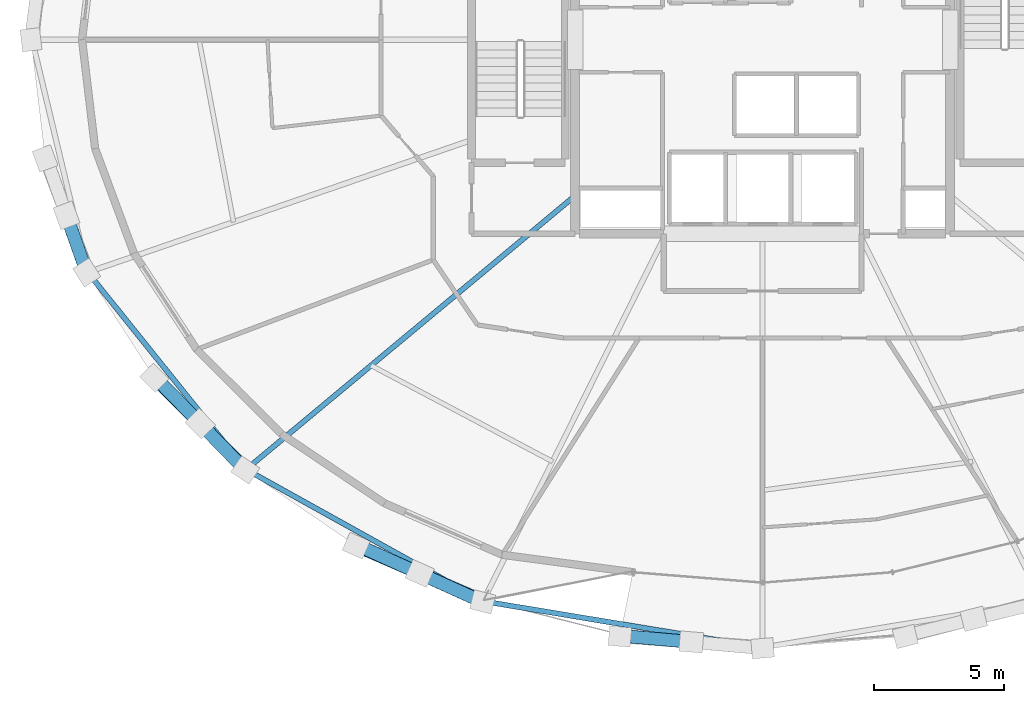
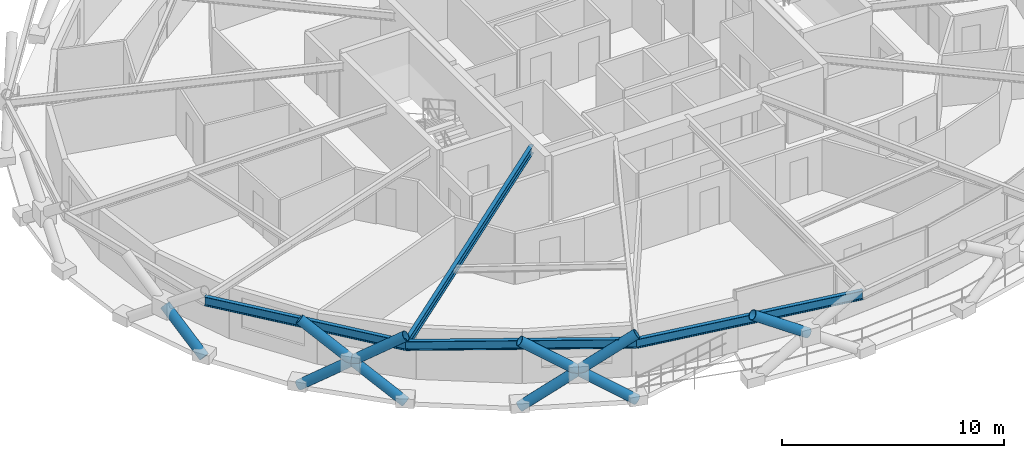
# One storey, part 1 of 19: 8 members, 4 beams.
"""IFC4 building model written with IfcOpenShell, lengths in metres."""

import ifcopenshell
import ifcopenshell.guid

model = None  # the IFC model being written
_history = None  # IfcOwnerHistory: only IFC2X3 demands one
_inside = {}  # id of a spatial element -> (the spatial element, [elements in it])
_under = {}  # id of a project, library or spatial element -> (it, [spatial elements below it])
_declared = {}  # id of a project -> (the project, [libraries it declares])
_typed = {}  # id of a type object -> (the type object, [elements of that type])
_made_of = {}  # id of a material, layer set ... -> (it, [elements and type objects made of it])


def new_model(schema):
    """Start an empty IFC model of exactly this schema.

    Asked for "IFC4X3", IfcOpenShell would pick the latest addendum, in which some entities
    have other attributes; the version numbers below select the first issue.
    IFC2X3 requires an IfcOwnerHistory on every rooted entity: one is made here for all.
    """
    global model, _history
    if schema == "IFC4X3":
        model = ifcopenshell.file(schema_version=(4, 3, 0, 0))
    else:
        model = ifcopenshell.file(schema=schema)
    _inside.clear()
    _under.clear()
    _declared.clear()
    _typed.clear()
    _made_of.clear()
    _history = None
    if model.schema == "IFC2X3":
        org = make("IfcOrganization", Name="unknown")
        user = make(
            "IfcPersonAndOrganization",
            ThePerson=make("IfcPerson", FamilyName="unknown"),
            TheOrganization=org,
        )
        app = make(
            "IfcApplication",
            ApplicationDeveloper=org,
            Version="unknown",
            ApplicationFullName="unknown",
            ApplicationIdentifier="unknown",
        )
        _history = make(
            "IfcOwnerHistory",
            OwningUser=user,
            OwningApplication=app,
            ChangeAction="ADDED",
            CreationDate=0,
        )
    return model


def make(cls, **values):
    """One entity of the class cls with the attributes given. An attribute that is None is left unset."""
    return model.create_entity(
        cls, **{name: value for name, value in values.items() if value is not None}
    )


def rooted(cls, **values):
    """An entity with a GlobalId (a new one), such as an element, a storey or a relation."""
    return make(cls, GlobalId=ifcopenshell.guid.new(), OwnerHistory=_history, **values)


def si_unit(unit_type, name, prefix=None):
    """IfcSIUnit, for example si_unit("LENGTHUNIT", "METRE", prefix="MILLI")."""
    return make("IfcSIUnit", UnitType=unit_type, Prefix=prefix, Name=name)


def assignment(units):
    """IfcUnitAssignment: the units of a project."""
    return None if units is None else make("IfcUnitAssignment", Units=units)


def point(xyz):
    """IfcCartesianPoint."""
    return None if xyz is None else make("IfcCartesianPoint", Coordinates=xyz)


def direction(xyz):
    """IfcDirection."""
    return None if xyz is None else make("IfcDirection", DirectionRatios=xyz)


def frame(location, z_axis=None, x_axis=None):
    """IfcAxis2Placement3D, a coordinate frame: its origin and axes. An axis left out is left unset."""
    return make(
        "IfcAxis2Placement3D",
        Location=point(location),
        Axis=direction(z_axis),
        RefDirection=direction(x_axis),
    )


def frame_2d(location, x_axis=None):
    """IfcAxis2Placement2D, a coordinate frame in the plane: its origin and x axis."""
    return make(
        "IfcAxis2Placement2D", Location=point(location), RefDirection=direction(x_axis)
    )


def origin():
    """The frame at (0, 0, 0) with its axes left unset."""
    return frame((0.0, 0.0, 0.0))


def origin_2d():
    """The frame at (0, 0) in the plane with its x axis left unset."""
    return frame_2d((0.0, 0.0))


def place(relative_to, where):
    """IfcLocalPlacement: puts the frame where relative to a parent placement (None: the world)."""
    return make(
        "IfcLocalPlacement", PlacementRelTo=relative_to, RelativePlacement=where
    )


def context(
    kind, dimensions, precision=None, world=None, true_north=None, identifier=None
):
    """IfcGeometricRepresentationContext, for example the 3D "Model" context."""
    return make(
        "IfcGeometricRepresentationContext",
        ContextIdentifier=identifier,
        ContextType=kind,
        CoordinateSpaceDimension=dimensions,
        Precision=precision,
        WorldCoordinateSystem=world,
        TrueNorth=true_north,
    )


def subcontext(parent, identifier, kind, view, scale=None):
    """IfcGeometricRepresentationSubContext, for example "Body" below "Model"."""
    return make(
        "IfcGeometricRepresentationSubContext",
        ContextIdentifier=identifier,
        ContextType=kind,
        ParentContext=parent,
        TargetScale=scale,
        TargetView=view,
    )


def project(units=None, contexts=None):
    """IfcProject with its units and contexts."""
    return rooted(
        "IfcProject",
        Name="project",
        RepresentationContexts=contexts,
        UnitsInContext=assignment(units),
    )


def spatial(cls, under=None, at=None, **own):
    """A site, building, storey or space (cls), placed at a placement, below another one or the project."""
    s = rooted(cls, ObjectPlacement=at, **own)
    if under is not None:
        _under.setdefault(under.id(), (under, []))[1].append(s)
    return s


def profile(cls, at=None, kind="AREA", **sizes):
    """A parametric profile (cls). Its sizes go by their IFC names, for example OverallWidth=200.0."""
    return make(cls, ProfileType=kind, Position=at, **sizes)


def hollow_circle(**sizes):
    """IfcCircleHollowProfileDef."""
    return profile("IfcCircleHollowProfileDef", **sizes)


def i_section(**sizes):
    """IfcIShapeProfileDef."""
    return profile("IfcIShapeProfileDef", **sizes)


def extrude(swept, where, along, depth):
    """IfcExtrudedAreaSolid: the profile swept, set in the frame where, extruded along a direction by depth."""
    return make(
        "IfcExtrudedAreaSolid",
        SweptArea=swept,
        Position=where,
        ExtrudedDirection=direction(along),
        Depth=depth,
    )


def shape(context_of_items, identifier, shape_type, items):
    """IfcShapeRepresentation: the items that make up one representation, for example the "Body"."""
    return make(
        "IfcShapeRepresentation",
        ContextOfItems=context_of_items,
        RepresentationIdentifier=identifier,
        RepresentationType=shape_type,
        Items=items,
    )


def material(Name=None, Category=None):
    """IfcMaterial."""
    return make("IfcMaterial", Name=Name, Category=Category)


def material_profile(
    of_material, cross_section, Name=None, Category=None, Priority=None
):
    """IfcMaterialProfile: a cross section and its material."""
    return make(
        "IfcMaterialProfile",
        Name=Name,
        Material=of_material,
        Profile=cross_section,
        Priority=Priority,
        Category=Category,
    )


def profile_set(profiles, Name=None, composite=None):
    """IfcMaterialProfileSet."""
    return make(
        "IfcMaterialProfileSet",
        Name=Name,
        MaterialProfiles=profiles,
        CompositeProfile=composite,
    )


def made_of(thing, what):
    """Note that an element or type object is made of a material, layer set ...; save() writes the relation."""
    if what is not None:
        _made_of.setdefault(what.id(), (what, []))[1].append(thing)
    return thing


def type_object(cls, material=None, **own):
    """A type object (cls), such as IfcWallType, which elements share."""
    return made_of(rooted(cls, **own), material)


def element(
    cls,
    number,
    at=None,
    inside=None,
    cuts=None,
    type_object=None,
    material=None,
    context=None,
    identifier="Body",
    shape_type=None,
    held_by="IfcProductDefinitionShape",
    body=None,
    shapes=None,
    **own,
):
    """One element of the class cls, such as IfcWall. Its Tag is "e" and its number.

    at: its placement. inside: the storey or other place that contains it. cuts: it is an
    opening in that element (IfcRelVoidsElement). A single representation is given by context,
    identifier, shape_type and body (its items); several are given by shapes. held_by: the class
    of the entity that holds the representations. save() writes the other relations.
    """
    e = rooted(cls, Tag="e%d" % number, ObjectPlacement=at, **own)
    if body is not None:
        shapes = [shape(context, identifier, shape_type, body)]
    if shapes is not None:
        e.Representation = make(held_by, Representations=shapes)
    if inside is not None:
        _inside.setdefault(inside.id(), (inside, []))[1].append(e)
    if cuts is not None:
        rooted(
            "IfcRelVoidsElement", RelatingBuildingElement=cuts, RelatedOpeningElement=e
        )
    if type_object is not None:
        _typed.setdefault(type_object.id(), (type_object, []))[1].append(e)
    return made_of(e, material)


def aggregate(whole, parts):
    """IfcRelAggregates: a whole, such as a stair, and the parts it consists of."""
    return rooted("IfcRelAggregates", RelatingObject=whole, RelatedObjects=parts)


def save(model, path):
    """Write the relations noted so far, then the file.

    IfcRelAggregates (storeys below a building ...), IfcRelContainedInSpatialStructure (elements
    in a storey), IfcRelDefinesByType, IfcRelAssociatesMaterial and IfcRelDeclares: one each for
    every whole, place, type object, material and project.
    """
    for whole, parts in _under.values():
        aggregate(whole, parts)
    for where, things in _inside.values():
        rooted(
            "IfcRelContainedInSpatialStructure",
            RelatedElements=things,
            RelatingStructure=where,
        )
    for kind, things in _typed.values():
        rooted("IfcRelDefinesByType", RelatedObjects=things, RelatingType=kind)
    for what, things in _made_of.values():
        rooted("IfcRelAssociatesMaterial", RelatedObjects=things, RelatingMaterial=what)
    for by, libraries in _declared.values():
        rooted("IfcRelDeclares", RelatingContext=by, RelatedDefinitions=libraries)
    model.write(path)


model = new_model("IFC4")

# Units and contexts
model_context = context("Model", 3, precision=1e-05, world=origin(), true_north=direction((0.0, 1.0)))
body_context = subcontext(model_context, "Body", "Model", "MODEL_VIEW")
ifc_project = project(units=[si_unit("LENGTHUNIT", "METRE"), si_unit("AREAUNIT", "SQUARE_METRE"), si_unit("VOLUMEUNIT", "CUBIC_METRE"), si_unit("PLANEANGLEUNIT", "RADIAN"), si_unit("MASSUNIT", "GRAM", prefix="KILO")], contexts=[model_context])

# Site, building, storey
site_placement = place(None, origin())
site = spatial("IfcSite", under=ifc_project, at=site_placement, CompositionType="ELEMENT")
building_placement = place(site_placement, origin())
building = spatial("IfcBuilding", under=site, at=building_placement, Name="Veldorina Hangang Commons", CompositionType="ELEMENT")
storey_placement = place(building_placement, frame((0.0, 0.0, 167.60009765625)))
storey = spatial("IfcBuildingStorey", under=building, at=storey_placement, Name="L43", CompositionType="ELEMENT", Elevation=167.60009765625)

# Beams
ifc_material_1 = material(Name="Steel SM355-TMC", Category="steel")
ifc_material_profile_1 = material_profile(ifc_material_1, i_section(OverallWidth=0.199951171875, OverallDepth=0.449951171875, WebThickness=0.009033203125, FlangeThickness=0.013916015625, FilletRadius=0.01611328125, at=origin_2d()), Name="H-450x200x9x14")
ifc_profile_set_1 = profile_set([ifc_material_profile_1], Name="Steel SM355-TMC")
beam_type_1 = type_object("IfcBeamType", Name="BM-FG450", PredefinedType="BEAM", material=ifc_profile_set_1)
beam_1_placement = place(storey_placement, frame((24.800048828125, 18.010498046875, 3.125), z_axis=(-0.768760288374, -0.639537034908, 0.0), x_axis=(0.639537034908, -0.768760288374, 0.0)))
element("IfcBeam", 1, at=beam_1_placement, inside=storey, type_object=beam_type_1, Name="L43 radial floor girder 11", PredefinedType="BEAM", context=body_context, shape_type="SweptSolid", body=[
    extrude(i_section(OverallWidth=0.199951171875, OverallDepth=0.449951171875, WebThickness=0.009033203125, FlangeThickness=0.013916015625, FilletRadius=0.01611328125, at=origin_2d()), origin(), (0.0, 0.0, 1.0), 16.438720703125),
])
ifc_material_2 = material(Name="Steel SM420-TMC", Category="steel")
ifc_material_profile_2 = material_profile(ifc_material_2, i_section(OverallWidth=0.199951171875, OverallDepth=0.5, WebThickness=0.010009765625, FlangeThickness=0.01611328125, FilletRadius=0.01611328125, at=origin_2d()), Name="H-500x200x10x16")
ifc_profile_set_2 = profile_set([ifc_material_profile_2], Name="Steel SM420-TMC")
beam_type_2 = type_object("IfcBeamType", Name="BM-RB500", PredefinedType="BEAM", material=ifc_profile_set_2)
beam_2_placement = place(storey_placement, frame((6.0810546875, 15.06884765625, 3.099853515625), z_axis=(0.626220607691, -0.779645913542, 0.0), x_axis=(0.779645913542, 0.626220607691, 0.0)))
element("IfcBeam", 2, at=beam_2_placement, inside=storey, type_object=beam_type_2, Name="L43 perimeter hoop ring beam 18", PredefinedType="BEAM", context=body_context, shape_type="SweptSolid", body=[
    extrude(i_section(OverallWidth=0.199951171875, OverallDepth=0.5, WebThickness=0.010009765625, FlangeThickness=0.01611328125, FilletRadius=0.01611328125, at=origin_2d()), origin(), (0.0, 0.0, 1.0), 9.71142578125),
])
beam_3_placement = place(storey_placement, frame((12.16259765625, 7.497314453125, 3.099853515625), z_axis=(0.874058830112, -0.485820091705, 0.0), x_axis=(0.485820091705, 0.874058830112, 0.0)))
element("IfcBeam", 3, at=beam_3_placement, inside=storey, type_object=beam_type_2, Name="L43 perimeter hoop ring beam 20", PredefinedType="BEAM", context=body_context, shape_type="SweptSolid", body=[
    extrude(i_section(OverallWidth=0.199951171875, OverallDepth=0.5, WebThickness=0.010009765625, FlangeThickness=0.01611328125, FilletRadius=0.01611328125, at=origin_2d()), origin(), (0.0, 0.0, 1.0), 10.4130859375),
])
beam_4_placement = place(storey_placement, frame((21.26416015625, 2.4384765625, 3.099853515625), z_axis=(0.98658245726, -0.163263759073, 0.0), x_axis=(0.163263759073, 0.98658245726, 0.0)))
element("IfcBeam", 4, at=beam_4_placement, inside=storey, type_object=beam_type_2, Name="L43 perimeter hoop ring beam 22", PredefinedType="BEAM", context=body_context, shape_type="SweptSolid", body=[
    extrude(i_section(OverallWidth=0.199951171875, OverallDepth=0.5, WebThickness=0.010009765625, FlangeThickness=0.01611328125, FilletRadius=0.01611328125, at=origin_2d()), origin(), (0.0, 0.0, 1.0), 10.8818359375),
])

# Members
ifc_material_profile_3 = material_profile(ifc_material_2, hollow_circle(Radius=0.25, WallThickness=0.02490234375, at=origin_2d()), Name="CHS-500x25")
ifc_profile_set_3 = profile_set([ifc_material_profile_3], Name="Steel SM420-TMC")
member_type = type_object("IfcMemberType", Name="DG-CHS500", PredefinedType="BRACE", material=ifc_profile_set_3)
member_1_placement = place(storey_placement, frame((6.04345703125, 15.05810546875, 0.0), z_axis=(-0.263807144234, 0.745823089104, 0.611681052846), x_axis=(-0.94276181356, -0.333466884254, 0.0)))
element("IfcMember", 5, at=member_1_placement, inside=storey, type_object=member_type, Name="L43 split perimeter diagrid lower brace 18", PredefinedType="BRACE", context=body_context, shape_type="SweptSolid", body=[
    extrude(hollow_circle(Radius=0.25, WallThickness=0.02490234375, at=origin_2d()), origin(), (0.0, 0.0, 1.0), 2.94482421875),
])
member_2_placement = place(storey_placement, frame((8.6396484375, 11.018310546875, 0.0), z_axis=(0.573943098216, -0.572314496442, 0.585700808581), x_axis=(0.706101411807, 0.708110723153, 0.0)))
element("IfcMember", 6, at=member_2_placement, inside=storey, type_object=member_type, Name="L43 continuous perimeter diagrid brace 19", PredefinedType="BRACE", context=body_context, shape_type="SweptSolid", body=[
    extrude(hollow_circle(Radius=0.25, WallThickness=0.02490234375, at=origin_2d()), origin(), (0.0, 0.0, 1.0), 6.146240234375),
])
member_3_placement = place(storey_placement, frame((12.1337890625, 7.477294921875, 0.0), z_axis=(-0.563784811177, 0.58066173577, 0.5873488191), x_axis=(-0.717456335926, -0.696603478343, 0.0)))
element("IfcMember", 7, at=member_3_placement, inside=storey, type_object=member_type, Name="L43 split perimeter diagrid lower brace 20", PredefinedType="BRACE", context=body_context, shape_type="SweptSolid", body=[
    extrude(hollow_circle(Radius=0.25, WallThickness=0.02490234375, at=origin_2d()), origin(), (0.0, 0.0, 1.0), 3.06689453125),
])
member_4_placement = place(storey_placement, frame((10.40478515625, 9.258056640625, 1.80126953125), z_axis=(-0.56354867995, 0.580850613106, 0.587388670797), x_axis=(-0.717715358249, -0.696336602897, 0.0)))
element("IfcMember", 8, at=member_4_placement, inside=storey, type_object=member_type, Name="L43 split perimeter diagrid upper brace 20", PredefinedType="BRACE", context=body_context, shape_type="SweptSolid", body=[
    extrude(hollow_circle(Radius=0.25, WallThickness=0.02490234375, at=origin_2d()), origin(), (0.0, 0.0, 1.0), 3.06201171875),
])
member_5_placement = place(storey_placement, frame((16.39111328125, 4.5712890625, 0.0), z_axis=(0.759015590088, -0.331389931396, 0.560424881114), x_axis=(0.400130194067, 0.916458306632, 0.0)))
element("IfcMember", 9, at=member_5_placement, inside=storey, type_object=member_type, Name="L43 continuous perimeter diagrid brace 21", PredefinedType="BRACE", context=body_context, shape_type="SweptSolid", body=[
    extrude(hollow_circle(Radius=0.25, WallThickness=0.02490234375, at=origin_2d()), origin(), (0.0, 0.0, 1.0), 6.42333984375),
])
member_6_placement = place(storey_placement, frame((21.248291015625, 2.412109375, 0.0), z_axis=(-0.753753676849, 0.341099800642, 0.56169949318), x_axis=(-0.412284250185, -0.91105526564, 0.0)))
element("IfcMember", 10, at=member_6_placement, inside=storey, type_object=member_type, Name="L43 split perimeter diagrid lower brace 22", PredefinedType="BRACE", context=body_context, shape_type="SweptSolid", body=[
    extrude(hollow_circle(Radius=0.25, WallThickness=0.02490234375, at=origin_2d()), origin(), (0.0, 0.0, 1.0), 3.207275390625),
])
member_7_placement = place(storey_placement, frame((18.830810546875, 3.506103515625, 1.801513671875), z_axis=(-0.753711570261, 0.341286088871, 0.56164283526), x_axis=(-0.412490238252, -0.910962020804, 0.0)))
element("IfcMember", 11, at=member_7_placement, inside=storey, type_object=member_type, Name="L43 split perimeter diagrid upper brace 22", PredefinedType="BRACE", context=body_context, shape_type="SweptSolid", body=[
    extrude(hollow_circle(Radius=0.25, WallThickness=0.02490234375, at=origin_2d()), origin(), (0.0, 0.0, 1.0), 3.201904296875),
])
member_8_placement = place(storey_placement, frame((29.26171875, 0.874267578125, 1.801513671875), z_axis=(-0.833185330415, 0.07329530682, 0.548114954348), x_axis=(-0.087631567384, -0.996152954319, 0.0)))
element("IfcMember", 12, at=member_8_placement, inside=storey, type_object=member_type, Name="L43 split perimeter diagrid upper brace 24", PredefinedType="BRACE", context=body_context, shape_type="SweptSolid", body=[
    extrude(hollow_circle(Radius=0.25, WallThickness=0.02490234375, at=origin_2d()), origin(), (0.0, 0.0, 1.0), 3.281005859375),
])

save(model, "model.ifc")
